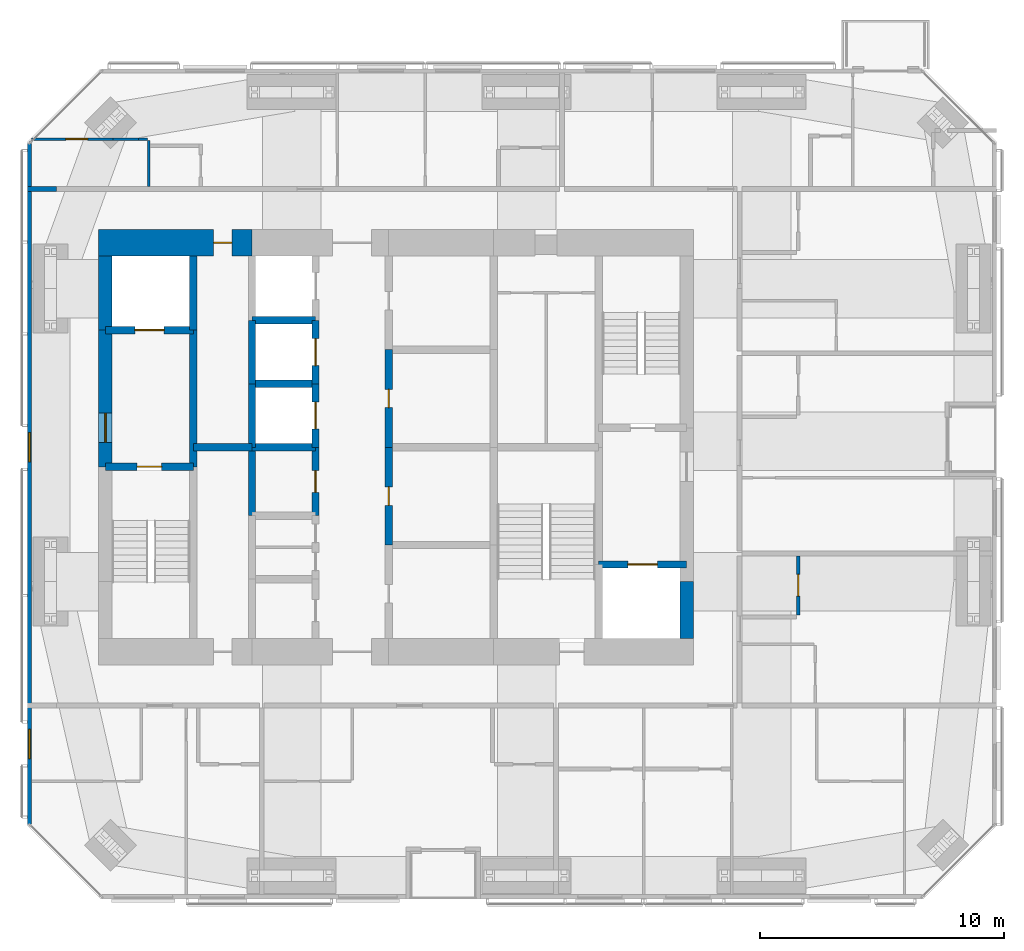
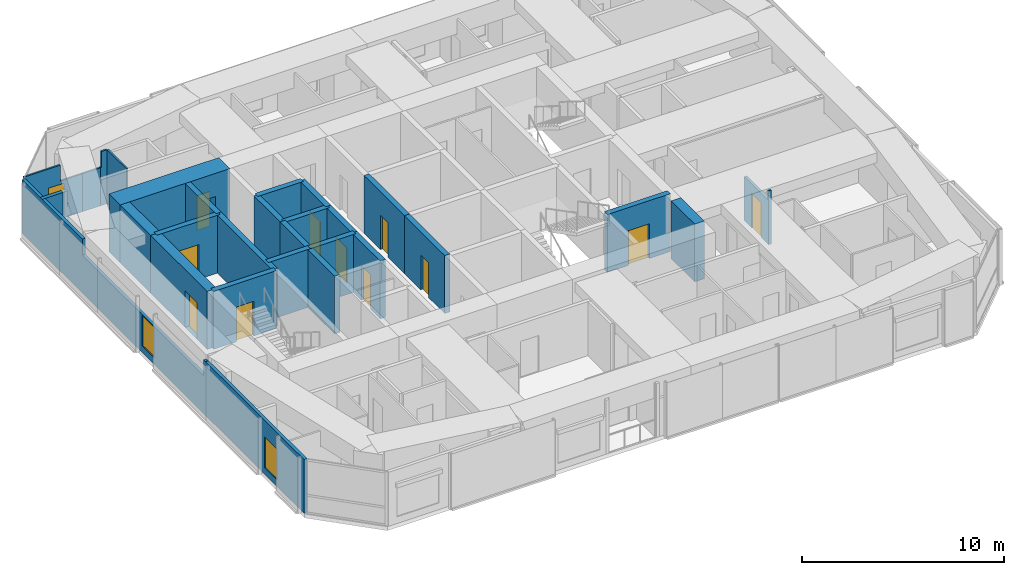
# One storey, part 15 of 19: 28 walls, 12 doors, 2 windows, 14 openings.
"""IFC4 building model written with IfcOpenShell, lengths in metres."""

from ifc_helpers import new_model, si_unit, direction, frame, frame_2d, origin, place, context, subcontext, project, spatial, polyline, rectangle, outline, extrude, material, layer, layer_set, constituent, constituent_set, type_object, element, fill, save


model = new_model("IFC4")

# Units and contexts
model_context = context("Model", 3, precision=1e-05, world=origin(), true_north=direction((0.0, 1.0)))
body_context = subcontext(model_context, "Body", "Model", "MODEL_VIEW")
ifc_project = project(units=[si_unit("LENGTHUNIT", "METRE"), si_unit("AREAUNIT", "SQUARE_METRE"), si_unit("VOLUMEUNIT", "CUBIC_METRE"), si_unit("PLANEANGLEUNIT", "RADIAN"), si_unit("MASSUNIT", "GRAM", prefix="KILO")], contexts=[model_context])

# Site, building, storey
site_placement = place(None, origin())
site = spatial("IfcSite", under=ifc_project, at=site_placement, CompositionType="ELEMENT")
building_placement = place(site_placement, origin())
building = spatial("IfcBuilding", under=site, at=building_placement, Name="Jalousie Tower", CompositionType="ELEMENT")
storey_placement = place(building_placement, frame((0.0, 0.0, 224.949951171875)))
storey = spatial("IfcBuildingStorey", under=building, at=storey_placement, Name="L61", CompositionType="ELEMENT", Elevation=224.949951171875)

# Wall, opening, door
ifc_material_1 = material(Name="Concrete block ASTM C90", Category="concrete")
ifc_constituent_1 = constituent(ifc_material_1, Name="Body")
ifc_material_2 = material(Name="Render")
ifc_constituent_2 = constituent(ifc_material_2, Name="Finish")
ifc_constituent_set_1 = constituent_set(constituents=[ifc_constituent_1, ifc_constituent_2])
wall_type_1 = type_object("IfcWallType", Name="BATHROOM WALL 150", PredefinedType="PLUMBINGWALL", material=ifc_constituent_set_1)
wall_1_placement = place(storey_placement, frame((48.375, 11.625, 0.0), z_axis=(0.0, 0.0, 1.0), x_axis=(0.0, 1.0, 0.0)))
wall_1 = element("IfcWall", 1, at=wall_1_placement, inside=storey, type_object=wall_type_1, Name="Bathroom Wall 150 L61", PredefinedType="PLUMBINGWALL", context=body_context, shape_type="SweptSolid", body=[
    extrude(outline(polyline([(0.0, 0.0), (2.425048828125, 0.0), (2.425048828125, 3.260009765625), (2.425048828125, 2.66015625), (0.090087890625, 2.66015625), (0.090087890625, 3.260009765625), (0.0, 3.260009765625), (0.0, 0.0)])), frame((0.0, 0.074951171875, 0.0), z_axis=(0.0, -1.0, 0.0), x_axis=(1.0, 0.0, 0.0)), (0.0, 0.0, 1.0), 0.14990234375),
])
opening_1_placement = place(wall_1_placement, frame((0.77490234375, 0.0, 0.0)))
opening_1 = element("IfcOpeningElement", 2, at=opening_1_placement, cuts=wall_1, Name="Opening D3", PredefinedType="OPENING", context=body_context, shape_type="SweptSolid", body=[
    extrude(rectangle(XDim=0.89990234375, YDim=2.10009765625, at=frame_2d((0.449951171875, 1.050048828125))), frame((0.0, 0.0849609375, 0.0), z_axis=(0.0, -1.0, 0.0), x_axis=(1.0, 0.0, 0.0)), (0.0, 0.0, 1.0), 0.169921875),
])
ifc_material_3 = material(Name="Timber door", Category="wood")
door_type_1 = type_object("IfcDoorType", Name="BATHROOM DOOR 900", OperationType="SINGLE_SWING_LEFT", PredefinedType="DOOR", material=ifc_material_3)
door_1_placement = place(opening_1_placement, origin())
door_1 = element("IfcDoor", 3, at=door_1_placement, inside=storey, type_object=door_type_1, Name="Apartment 6106 bathroom door", OperationType="SINGLE_SWING_RIGHT", OverallHeight=2.10009765625, OverallWidth=0.89990234375, PredefinedType="DOOR", context=body_context, shape_type="SweptSolid", body=[
    extrude(rectangle(XDim=0.89990234375, YDim=2.10009765625, at=frame_2d((0.449951171875, 1.050048828125))), frame((0.0, 0.02490234375, 0.0), z_axis=(0.0, -1.0, 0.0), x_axis=(1.0, 0.0, 0.0)), (0.0, 0.0, 1.0), 0.050048828125),
])
fill(opening_1, door_1)

ifc_material_4 = material(Name="Concrete f'c 120 MPa", Category="concrete")
ifc_layer_1 = layer(ifc_material_4, 1.10009765625)
ifc_layer_set_1 = layer_set([ifc_layer_1], Name="Concrete f'c 120 MPa")
wall_type_2 = type_object("IfcWallType", Name="CORE WALL 1100", PredefinedType="SHEAR", material=ifc_layer_set_1)
wall_2_placement = place(storey_placement, frame((26.0, 26.875, 0.0), z_axis=(0.0, 0.0, 1.0), x_axis=(-1.0, 0.0, 0.0)))
wall_2 = element("IfcWall", 4, at=wall_2_placement, inside=storey, type_object=wall_type_2, Name="Core wall ND L61", PredefinedType="SHEAR", context=body_context, shape_type="SweptSolid", body=[
    extrude(rectangle(XDim=6.27490234375, YDim=1.10009765625, at=frame_2d((3.137451171875, 0.0))), origin(), (0.0, 0.0, 1.0), 3.5),
])
opening_2_placement = place(wall_2_placement, frame((0.824951171875, 0.0, 0.0)))
opening_2 = element("IfcOpeningElement", 5, at=opening_2_placement, cuts=wall_2, Name="Opening D16", PredefinedType="OPENING", context=body_context, shape_type="SweptSolid", body=[
    extrude(rectangle(XDim=0.75, YDim=2.10009765625, at=frame_2d((0.375, 1.050048828125))), frame((0.0, 0.56005859375, 0.0), z_axis=(0.0, -1.0, 0.0), x_axis=(1.0, 0.0, 0.0)), (0.0, 0.0, 1.0), 1.1201171875),
])
ifc_material_5 = material(Name="Steel fire door", Category="steel")
door_type_2 = type_object("IfcDoorType", Name="RISER DOOR 750", OperationType="SINGLE_SWING_LEFT", PredefinedType="DOOR", material=ifc_material_5)
door_2_placement = place(opening_2_placement, origin())
door_2 = element("IfcDoor", 6, at=door_2_placement, inside=storey, type_object=door_type_2, Name="North riser door", OperationType="SINGLE_SWING_RIGHT", OverallHeight=2.10009765625, OverallWidth=0.75, PredefinedType="DOOR", context=body_context, shape_type="SweptSolid", body=[
    extrude(rectangle(XDim=0.75, YDim=2.10009765625, at=frame_2d((0.375, 1.050048828125))), frame((0.0, 0.02490234375, 0.0), z_axis=(0.0, -1.0, 0.0), x_axis=(1.0, 0.0, 0.0)), (0.0, 0.0, 1.0), 0.050048828125),
])
fill(opening_2, door_2)

# Walls
ifc_material_6 = material(Name="Concrete f'c 120 MPa", Category="concrete")
ifc_layer_2 = layer(ifc_material_6, 0.300048828125)
ifc_layer_set_2 = layer_set([ifc_layer_2], Name="Concrete f'c 120 MPa")
wall_type_3 = type_object("IfcWallType", Name="CORE WALL 300", PredefinedType="SHEAR", material=ifc_layer_set_2)
wall_3_placement = place(storey_placement, frame((23.60009765625, 17.699951171875, 0.0), z_axis=(0.0, 0.0, 1.0), x_axis=(0.0, 1.0, 0.0)))
element("IfcWall", 7, at=wall_3_placement, inside=storey, type_object=wall_type_3, Name="Core wall X23.6B L61", PredefinedType="SHEAR", context=body_context, shape_type="SweptSolid", body=[
    extrude(rectangle(XDim=5.60009765625, YDim=0.300048828125, at=frame_2d((2.800048828125, 0.0))), origin(), (0.0, 0.0, 1.0), 3.5),
])
wall_4_placement = place(storey_placement, frame((23.60009765625, 23.300048828125, 0.0), z_axis=(0.0, 0.0, 1.0), x_axis=(0.0, 1.0, 0.0)))
element("IfcWall", 8, at=wall_4_placement, inside=storey, type_object=wall_type_3, Name="Core wall X23.6C L61", PredefinedType="SHEAR", context=body_context, shape_type="SweptSolid", body=[
    extrude(rectangle(XDim=3.02490234375, YDim=0.300048828125, at=frame_2d((1.512451171875, 0.0))), origin(), (0.0, 0.0, 1.0), 3.5),
])
wall_5_placement = place(storey_placement, frame((26.0, 15.699951171875, 0.0), z_axis=(0.0, 0.0, 1.0), x_axis=(0.0, 1.0, 0.0)))
element("IfcWall", 9, at=wall_5_placement, inside=storey, type_object=wall_type_3, Name="Core wall X26C L61", PredefinedType="SHEAR", context=body_context, shape_type="SweptSolid", body=[
    extrude(rectangle(XDim=2.800048828125, YDim=0.300048828125, at=frame_2d((1.39990234375, 0.0))), origin(), (0.0, 0.0, 1.0), 3.5),
])
wall_6_placement = place(storey_placement, frame((26.0, 18.5, 0.0), z_axis=(0.0, 0.0, 1.0), x_axis=(0.0, 1.0, 0.0)))
element("IfcWall", 10, at=wall_6_placement, inside=storey, type_object=wall_type_3, Name="Core wall X26D L61", PredefinedType="SHEAR", context=body_context, shape_type="SweptSolid", body=[
    extrude(rectangle(XDim=2.60009765625, YDim=0.300048828125, at=frame_2d((1.300048828125, 0.0))), origin(), (0.0, 0.0, 1.0), 3.5),
])
wall_7_placement = place(storey_placement, frame((26.0, 21.10009765625, 0.0), z_axis=(0.0, 0.0, 1.0), x_axis=(0.0, 1.0, 0.0)))
element("IfcWall", 11, at=wall_7_placement, inside=storey, type_object=wall_type_3, Name="Core wall X26E L61", PredefinedType="SHEAR", context=body_context, shape_type="SweptSolid", body=[
    extrude(rectangle(XDim=2.599853515625, YDim=0.300048828125, at=frame_2d((1.2998046875, 0.0))), origin(), (0.0, 0.0, 1.0), 3.5),
])

# Wall, opening, door
wall_8_placement = place(storey_placement, frame((28.60009765625, 15.699951171875, 0.0), z_axis=(0.0, 0.0, 1.0), x_axis=(0.0, 1.0, 0.0)))
wall_8 = element("IfcWall", 12, at=wall_8_placement, inside=storey, type_object=wall_type_3, Name="Core wall X28.6C L61", PredefinedType="SHEAR", context=body_context, shape_type="SweptSolid", body=[
    extrude(rectangle(XDim=2.800048828125, YDim=0.300048828125, at=frame_2d((1.39990234375, 0.0))), origin(), (0.0, 0.0, 1.0), 3.5),
])
opening_3_placement = place(wall_8_placement, frame((0.949951171875, 0.0, 0.0)))
opening_3 = element("IfcOpeningElement", 13, at=opening_3_placement, cuts=wall_8, Name="Opening D24", PredefinedType="OPENING", context=body_context, shape_type="SweptSolid", body=[
    extrude(rectangle(XDim=0.89990234375, YDim=2.10009765625, at=frame_2d((0.449951171875, 1.050048828125))), frame((0.0, 0.159912109375, 0.0), z_axis=(0.0, -1.0, 0.0), x_axis=(1.0, 0.0, 0.0)), (0.0, 0.0, 1.0), 0.320068359375),
])
ifc_material_7 = material(Name="Steel fire door", Category="steel")
door_type_3 = type_object("IfcDoorType", Name="CORE ROOM DOOR 900", OperationType="SINGLE_SWING_LEFT", PredefinedType="DOOR", material=ifc_material_7)
door_3_placement = place(opening_3_placement, origin())
door_3 = element("IfcDoor", 14, at=door_3_placement, inside=storey, type_object=door_type_3, Name="Pantry door", OperationType="SINGLE_SWING_LEFT", OverallHeight=2.10009765625, OverallWidth=0.89990234375, PredefinedType="DOOR", context=body_context, shape_type="SweptSolid", body=[
    extrude(rectangle(XDim=0.89990234375, YDim=2.10009765625, at=frame_2d((0.449951171875, 1.050048828125))), frame((0.0, 0.02490234375, 0.0), z_axis=(0.0, -1.0, 0.0), x_axis=(1.0, 0.0, 0.0)), (0.0, 0.0, 1.0), 0.050048828125),
])
fill(opening_3, door_3)

wall_9_placement = place(storey_placement, frame((28.60009765625, 18.5, 0.0), z_axis=(0.0, 0.0, 1.0), x_axis=(0.0, 1.0, 0.0)))
wall_9 = element("IfcWall", 15, at=wall_9_placement, inside=storey, type_object=wall_type_3, Name="Core wall X28.6D L61", PredefinedType="SHEAR", context=body_context, shape_type="SweptSolid", body=[
    extrude(rectangle(XDim=2.60009765625, YDim=0.300048828125, at=frame_2d((1.300048828125, 0.0))), origin(), (0.0, 0.0, 1.0), 3.5),
])
opening_4_placement = place(wall_9_placement, frame((0.75, 0.0, 0.0)))
opening_4 = element("IfcOpeningElement", 16, at=opening_4_placement, cuts=wall_9, Name="Opening LD1", PredefinedType="OPENING", context=body_context, shape_type="SweptSolid", body=[
    extrude(rectangle(XDim=1.10009765625, YDim=2.10009765625, at=frame_2d((0.550048828125, 1.050048828125))), frame((0.0, 0.159912109375, 0.0), z_axis=(0.0, -1.0, 0.0), x_axis=(1.0, 0.0, 0.0)), (0.0, 0.0, 1.0), 0.320068359375),
])
ifc_material_8 = material(Name="Steel lift landing door", Category="steel")
door_type_4 = type_object("IfcDoorType", Name="LIFT LANDING DOOR 1100", OperationType="SLIDING_TO_LEFT", PredefinedType="DOOR", material=ifc_material_8)
door_4_placement = place(opening_4_placement, origin())
door_4 = element("IfcDoor", 17, at=door_4_placement, inside=storey, type_object=door_type_4, Name="Lift P4 landing door", OperationType="SLIDING_TO_LEFT", OverallHeight=2.10009765625, OverallWidth=1.10009765625, PredefinedType="DOOR", context=body_context, shape_type="SweptSolid", body=[
    extrude(rectangle(XDim=1.10009765625, YDim=2.10009765625, at=frame_2d((0.550048828125, 1.050048828125))), frame((0.0, 0.02490234375, 0.0), z_axis=(0.0, -1.0, 0.0), x_axis=(1.0, 0.0, 0.0)), (0.0, 0.0, 1.0), 0.050048828125),
])
fill(opening_4, door_4)

wall_10_placement = place(storey_placement, frame((28.60009765625, 21.10009765625, 0.0), z_axis=(0.0, 0.0, 1.0), x_axis=(0.0, 1.0, 0.0)))
wall_10 = element("IfcWall", 18, at=wall_10_placement, inside=storey, type_object=wall_type_3, Name="Core wall X28.6E L61", PredefinedType="SHEAR", context=body_context, shape_type="SweptSolid", body=[
    extrude(rectangle(XDim=2.599853515625, YDim=0.300048828125, at=frame_2d((1.2998046875, 0.0))), origin(), (0.0, 0.0, 1.0), 3.5),
])
opening_5_placement = place(wall_10_placement, frame((0.75, 0.0, 0.0)))
opening_5 = element("IfcOpeningElement", 19, at=opening_5_placement, cuts=wall_10, Name="Opening LD1", PredefinedType="OPENING", context=body_context, shape_type="SweptSolid", body=[
    extrude(rectangle(XDim=1.10009765625, YDim=2.10009765625, at=frame_2d((0.550048828125, 1.050048828125))), frame((0.0, 0.159912109375, 0.0), z_axis=(0.0, -1.0, 0.0), x_axis=(1.0, 0.0, 0.0)), (0.0, 0.0, 1.0), 0.320068359375),
])
door_5_placement = place(opening_5_placement, origin())
door_5 = element("IfcDoor", 20, at=door_5_placement, inside=storey, type_object=door_type_4, Name="Lift P5 landing door", OperationType="SLIDING_TO_LEFT", OverallHeight=2.10009765625, OverallWidth=1.10009765625, PredefinedType="DOOR", context=body_context, shape_type="SweptSolid", body=[
    extrude(rectangle(XDim=1.10009765625, YDim=2.10009765625, at=frame_2d((0.550048828125, 1.050048828125))), frame((0.0, 0.02490234375, 0.0), z_axis=(0.0, -1.0, 0.0), x_axis=(1.0, 0.0, 0.0)), (0.0, 0.0, 1.0), 0.050048828125),
])
fill(opening_5, door_5)

wall_11_placement = place(storey_placement, frame((31.60009765625, 14.5, 0.0), z_axis=(0.0, 0.0, 1.0), x_axis=(0.0, 1.0, 0.0)))
wall_11 = element("IfcWall", 21, at=wall_11_placement, inside=storey, type_object=wall_type_3, Name="Core wall X31.6B L61", PredefinedType="SHEAR", context=body_context, shape_type="SweptSolid", body=[
    extrude(rectangle(XDim=4.0, YDim=0.300048828125, at=frame_2d((2.0, 0.0))), origin(), (0.0, 0.0, 1.0), 3.5),
])
opening_6_placement = place(wall_11_placement, frame((1.625, 0.0, 0.0)))
opening_6 = element("IfcOpeningElement", 22, at=opening_6_placement, cuts=wall_11, Name="Opening D16", PredefinedType="OPENING", context=body_context, shape_type="SweptSolid", body=[
    extrude(rectangle(XDim=0.75, YDim=2.10009765625, at=frame_2d((0.375, 1.050048828125))), frame((0.0, 0.159912109375, 0.0), z_axis=(0.0, -1.0, 0.0), x_axis=(1.0, 0.0, 0.0)), (0.0, 0.0, 1.0), 0.320068359375),
])
door_6_placement = place(opening_6_placement, frame((0.75, 0.0, 0.0), z_axis=(0.0, 0.0, 1.0), x_axis=(-1.0, 0.0, 0.0)))
door_6 = element("IfcDoor", 23, at=door_6_placement, inside=storey, type_object=door_type_2, Name="Electrical Room door", OperationType="SINGLE_SWING_RIGHT", OverallHeight=2.10009765625, OverallWidth=0.75, PredefinedType="DOOR", context=body_context, shape_type="SweptSolid", body=[
    extrude(rectangle(XDim=0.75, YDim=2.10009765625, at=frame_2d((0.375, 1.050048828125))), frame((0.0, 0.02490234375, 0.0), z_axis=(0.0, -1.0, 0.0), x_axis=(1.0, 0.0, 0.0)), (0.0, 0.0, 1.0), 0.050048828125),
])
fill(opening_6, door_6)

wall_12_placement = place(storey_placement, frame((31.60009765625, 18.5, 0.0), z_axis=(0.0, 0.0, 1.0), x_axis=(0.0, 1.0, 0.0)))
wall_12 = element("IfcWall", 24, at=wall_12_placement, inside=storey, type_object=wall_type_3, Name="Core wall X31.6C L61", PredefinedType="SHEAR", context=body_context, shape_type="SweptSolid", body=[
    extrude(rectangle(XDim=4.0, YDim=0.300048828125, at=frame_2d((2.0, 0.0))), origin(), (0.0, 0.0, 1.0), 3.5),
])
opening_7_placement = place(wall_12_placement, frame((1.625, 0.0, 0.0)))
opening_7 = element("IfcOpeningElement", 25, at=opening_7_placement, cuts=wall_12, Name="Opening D16", PredefinedType="OPENING", context=body_context, shape_type="SweptSolid", body=[
    extrude(rectangle(XDim=0.75, YDim=2.10009765625, at=frame_2d((0.375, 1.050048828125))), frame((0.0, 0.159912109375, 0.0), z_axis=(0.0, -1.0, 0.0), x_axis=(1.0, 0.0, 0.0)), (0.0, 0.0, 1.0), 0.320068359375),
])
door_7_placement = place(opening_7_placement, frame((0.75, 0.0, 0.0), z_axis=(0.0, 0.0, 1.0), x_axis=(-1.0, 0.0, 0.0)))
door_7 = element("IfcDoor", 26, at=door_7_placement, inside=storey, type_object=door_type_2, Name="Telecom Room door", OperationType="SINGLE_SWING_RIGHT", OverallHeight=2.10009765625, OverallWidth=0.75, PredefinedType="DOOR", context=body_context, shape_type="SweptSolid", body=[
    extrude(rectangle(XDim=0.75, YDim=2.10009765625, at=frame_2d((0.375, 1.050048828125))), frame((0.0, 0.02490234375, 0.0), z_axis=(0.0, -1.0, 0.0), x_axis=(1.0, 0.0, 0.0)), (0.0, 0.0, 1.0), 0.050048828125),
])
fill(opening_7, door_7)

wall_13_placement = place(storey_placement, frame((20.0, 17.699951171875, 0.0), z_axis=(0.0, 0.0, 1.0), x_axis=(1.0, 0.0, 0.0)))
wall_13 = element("IfcWall", 27, at=wall_13_placement, inside=storey, type_object=wall_type_3, Name="Core wall Y20-17.7 L61", PredefinedType="SHEAR", context=body_context, shape_type="SweptSolid", body=[
    extrude(rectangle(XDim=3.60009765625, YDim=0.300048828125, at=frame_2d((1.800048828125, 0.0))), origin(), (0.0, 0.0, 1.0), 3.5),
])
opening_8_placement = place(wall_13_placement, frame((1.300048828125, 0.0, 0.0)))
opening_8 = element("IfcOpeningElement", 28, at=opening_8_placement, cuts=wall_13, Name="Opening D10", PredefinedType="OPENING", context=body_context, shape_type="SweptSolid", body=[
    extrude(rectangle(XDim=1.0, YDim=2.10009765625, at=frame_2d((0.5, 1.050048828125))), frame((0.0, 0.159912109375, 0.0), z_axis=(0.0, -1.0, 0.0), x_axis=(1.0, 0.0, 0.0)), (0.0, 0.0, 1.0), 0.320068359375),
])
ifc_material_9 = material(Name="Steel fire door", Category="steel")
door_type_5 = type_object("IfcDoorType", Name="STAIR DOOR 1000", OperationType="SINGLE_SWING_LEFT", PredefinedType="DOOR", material=ifc_material_9)
door_8_placement = place(opening_8_placement, frame((1.0, 0.0, 0.0), z_axis=(0.0, 0.0, 1.0), x_axis=(-1.0, 0.0, 0.0)))
door_8 = element("IfcDoor", 29, at=door_8_placement, inside=storey, type_object=door_type_5, Name="Exit stair A door", OperationType="SINGLE_SWING_RIGHT", OverallHeight=2.10009765625, OverallWidth=1.0, PredefinedType="DOOR", context=body_context, shape_type="SweptSolid", body=[
    extrude(rectangle(XDim=1.0, YDim=2.10009765625, at=frame_2d((0.5, 1.050048828125))), frame((0.0, 0.02490234375, 0.0), z_axis=(0.0, -1.0, 0.0), x_axis=(1.0, 0.0, 0.0)), (0.0, 0.0, 1.0), 0.050048828125),
])
fill(opening_8, door_8)

wall_14_placement = place(storey_placement, frame((20.0, 23.300048828125, 0.0), z_axis=(0.0, 0.0, 1.0), x_axis=(1.0, 0.0, 0.0)))
wall_14 = element("IfcWall", 30, at=wall_14_placement, inside=storey, type_object=wall_type_3, Name="Core wall Y20-23.3 L61", PredefinedType="SHEAR", context=body_context, shape_type="SweptSolid", body=[
    extrude(rectangle(XDim=3.60009765625, YDim=0.300048828125, at=frame_2d((1.800048828125, 0.0))), origin(), (0.0, 0.0, 1.0), 3.5),
])
opening_9_placement = place(wall_14_placement, frame((1.199951171875, 0.0, 0.0)))
opening_9 = element("IfcOpeningElement", 31, at=opening_9_placement, cuts=wall_14, Name="Opening LD2", PredefinedType="OPENING", context=body_context, shape_type="SweptSolid", body=[
    extrude(rectangle(XDim=1.199951171875, YDim=2.10009765625, at=frame_2d((0.60009765625, 1.050048828125))), frame((0.0, 0.159912109375, 0.0), z_axis=(0.0, -1.0, 0.0), x_axis=(1.0, 0.0, 0.0)), (0.0, 0.0, 1.0), 0.320068359375),
])
ifc_material_10 = material(Name="Steel lift landing door", Category="steel")
door_type_6 = type_object("IfcDoorType", Name="LIFT LANDING DOOR 1200", OperationType="SLIDING_TO_LEFT", PredefinedType="DOOR", material=ifc_material_10)
door_9_placement = place(opening_9_placement, origin())
door_9 = element("IfcDoor", 32, at=door_9_placement, inside=storey, type_object=door_type_6, Name="Lift F1 landing door", OperationType="SLIDING_TO_LEFT", OverallHeight=2.10009765625, OverallWidth=1.199951171875, PredefinedType="DOOR", context=body_context, shape_type="SweptSolid", body=[
    extrude(rectangle(XDim=1.199951171875, YDim=2.10009765625, at=frame_2d((0.60009765625, 1.050048828125))), frame((0.0, 0.02490234375, 0.0), z_axis=(0.0, -1.0, 0.0), x_axis=(1.0, 0.0, 0.0)), (0.0, 0.0, 1.0), 0.050048828125),
])
fill(opening_9, door_9)

# Walls
wall_15_placement = place(storey_placement, frame((23.60009765625, 18.5, 0.0), z_axis=(0.0, 0.0, 1.0), x_axis=(1.0, 0.0, 0.0)))
element("IfcWall", 33, at=wall_15_placement, inside=storey, type_object=wall_type_3, Name="Core wall Y23.6-18.5 L61", PredefinedType="SHEAR", context=body_context, shape_type="SweptSolid", body=[
    extrude(rectangle(XDim=2.39990234375, YDim=0.300048828125, at=frame_2d((1.199951171875, 0.0))), origin(), (0.0, 0.0, 1.0), 3.5),
])
for number, where, z_axis, x_axis, name in (
    (34, (26.0, 18.5, 0.0), (0.0, 0.0, 1.0), (1.0, 0.0, 0.0), "Core wall Y26-18.5 L61"),
    (35, (26.0, 21.10009765625, 0.0), (0.0, 0.0, 1.0), (1.0, 0.0, 0.0), "Core wall Y26-21.1 L61"),
    (36, (26.0, 23.699951171875, 0.0), (0.0, 0.0, 1.0), (1.0, 0.0, 0.0), "Core wall Y26-23.7 L61"),
):
    element("IfcWall", number, at=place(storey_placement, frame(where, z_axis=z_axis, x_axis=x_axis)), inside=storey, type_object=wall_type_3, Name=name, PredefinedType="SHEAR", context=body_context, shape_type="SweptSolid", body=[
        extrude(rectangle(XDim=2.60009765625, YDim=0.300048828125, at=frame_2d((1.300048828125, 0.0))), origin(), (0.0, 0.0, 1.0), 3.5),
    ])

# Wall, opening, door
wall_16_placement = place(storey_placement, frame((40.199951171875, 13.699951171875, 0.0), z_axis=(0.0, 0.0, 1.0), x_axis=(1.0, 0.0, 0.0)))
wall_16 = element("IfcWall", 37, at=wall_16_placement, inside=storey, type_object=wall_type_3, Name="Core wall Y40.2-13.7 L61", PredefinedType="SHEAR", context=body_context, shape_type="SweptSolid", body=[
    extrude(rectangle(XDim=3.60009765625, YDim=0.300048828125, at=frame_2d((1.800048828125, 0.0))), origin(), (0.0, 0.0, 1.0), 3.5),
])
opening_10_placement = place(wall_16_placement, frame((1.199951171875, 0.0, 0.0)))
opening_10 = element("IfcOpeningElement", 38, at=opening_10_placement, cuts=wall_16, Name="Opening LD2", PredefinedType="OPENING", context=body_context, shape_type="SweptSolid", body=[
    extrude(rectangle(XDim=1.199951171875, YDim=2.10009765625, at=frame_2d((0.60009765625, 1.050048828125))), frame((0.0, 0.159912109375, 0.0), z_axis=(0.0, -1.0, 0.0), x_axis=(1.0, 0.0, 0.0)), (0.0, 0.0, 1.0), 0.320068359375),
])
door_10_placement = place(opening_10_placement, origin())
door_10 = element("IfcDoor", 39, at=door_10_placement, inside=storey, type_object=door_type_6, Name="Lift F2 landing door", OperationType="SLIDING_TO_LEFT", OverallHeight=2.10009765625, OverallWidth=1.199951171875, PredefinedType="DOOR", context=body_context, shape_type="SweptSolid", body=[
    extrude(rectangle(XDim=1.199951171875, YDim=2.10009765625, at=frame_2d((0.60009765625, 1.050048828125))), frame((0.0, 0.02490234375, 0.0), z_axis=(0.0, -1.0, 0.0), x_axis=(1.0, 0.0, 0.0)), (0.0, 0.0, 1.0), 0.050048828125),
])
fill(opening_10, door_10)

# Wall
ifc_material_11 = material(Name="Concrete f'c 120 MPa", Category="concrete")
ifc_layer_3 = layer(ifc_material_11, 0.550048828125)
ifc_layer_set_3 = layer_set([ifc_layer_3], Name="Concrete f'c 120 MPa")
wall_type_4 = type_object("IfcWallType", Name="CORE WALL 550", PredefinedType="SHEAR", material=ifc_layer_set_3)
wall_17_placement = place(storey_placement, frame((20.0, 26.324951171875, 0.0), z_axis=(0.0, 0.0, 1.0), x_axis=(0.0, -1.0, 0.0)))
element("IfcWall", 40, at=wall_17_placement, inside=storey, type_object=wall_type_4, Name="Core wall WA L61", PredefinedType="SHEAR", context=body_context, shape_type="SweptSolid", body=[
    extrude(rectangle(XDim=3.02490234375, YDim=0.550048828125, at=frame_2d((1.512451171875, 0.0))), origin(), (0.0, 0.0, 1.0), 3.5),
])

# Wall, opening, door
wall_18_placement = place(storey_placement, frame((20.0, 23.300048828125, 0.0), z_axis=(0.0, 0.0, 1.0), x_axis=(0.0, -1.0, 0.0)))
wall_18 = element("IfcWall", 41, at=wall_18_placement, inside=storey, type_object=wall_type_4, Name="Core wall WB L61", PredefinedType="SHEAR", context=body_context, shape_type="SweptSolid", body=[
    extrude(rectangle(XDim=5.60009765625, YDim=0.550048828125, at=frame_2d((2.800048828125, 0.0))), origin(), (0.0, 0.0, 1.0), 3.5),
])
opening_11_placement = place(wall_18_placement, frame((3.39990234375, 0.0, 0.0)))
opening_11 = element("IfcOpeningElement", 42, at=opening_11_placement, cuts=wall_18, Name="Opening D11", PredefinedType="OPENING", context=body_context, shape_type="SweptSolid", body=[
    extrude(rectangle(XDim=1.199951171875, YDim=2.199951171875, at=frame_2d((0.60009765625, 1.10009765625))), frame((0.0, 0.284912109375, 0.0), z_axis=(0.0, -1.0, 0.0), x_axis=(1.0, 0.0, 0.0)), (0.0, 0.0, 1.0), 0.570068359375),
])
ifc_material_12 = material(Name="Steel fire door", Category="steel")
door_type_7 = type_object("IfcDoorType", Name="FIRE DOOR 1200", OperationType="SINGLE_SWING_LEFT", PredefinedType="DOOR", material=ifc_material_12)
door_11_placement = place(opening_11_placement, origin())
door_11 = element("IfcDoor", 43, at=door_11_placement, inside=storey, type_object=door_type_7, Name="Fire-fighting lobby A door", OperationType="SINGLE_SWING_RIGHT", OverallHeight=2.199951171875, OverallWidth=1.199951171875, PredefinedType="DOOR", context=body_context, shape_type="SweptSolid", body=[
    extrude(rectangle(XDim=1.199951171875, YDim=2.199951171875, at=frame_2d((0.60009765625, 1.10009765625))), frame((0.0, 0.02490234375, 0.0), z_axis=(0.0, -1.0, 0.0), x_axis=(1.0, 0.0, 0.0)), (0.0, 0.0, 1.0), 0.050048828125),
])
fill(opening_11, door_11)

# Wall
wall_19_placement = place(storey_placement, frame((43.800048828125, 10.675048828125, 0.0), z_axis=(0.0, 0.0, 1.0), x_axis=(0.0, 1.0, 0.0)))
element("IfcWall", 44, at=wall_19_placement, inside=storey, type_object=wall_type_4, Name="Core wall EA L61", PredefinedType="SHEAR", context=body_context, shape_type="SweptSolid", body=[
    extrude(rectangle(XDim=2.324951171875, YDim=0.550048828125, at=frame_2d((1.16259765625, 0.0))), origin(), (0.0, 0.0, 1.0), 3.5),
])

# Wall, openings, windows
ifc_material_13 = material(Name="Concrete f'c 40 MPa", Category="concrete")
ifc_constituent_3 = constituent(ifc_material_13, Name="Body")
ifc_material_14 = material(Name="Render, pastel sky blue")
ifc_constituent_4 = constituent(ifc_material_14, Name="Finish")
ifc_constituent_set_2 = constituent_set(constituents=[ifc_constituent_3, ifc_constituent_4])
wall_type_5 = type_object("IfcWallType", Name="EXTERNAL WALL 175 SKY BLUE RENDER", PredefinedType="SOLIDWALL", material=ifc_constituent_set_2)
wall_20_placement = place(storey_placement, frame((16.887451171875, 30.94873046875, 0.0), z_axis=(0.0, 0.0, 1.0), x_axis=(0.0, -1.0, 0.0)))
wall_20 = element("IfcWall", 45, at=wall_20_placement, inside=storey, type_object=wall_type_5, Name="External Wall 175 Sky Blue Render L61", PredefinedType="SOLIDWALL", context=body_context, shape_type="SweptSolid", body=[
    extrude(outline(polyline([(0.0, 0.0), (27.8974609375, 0.0), (27.8974609375, 3.260009765625), (18.1484375, 3.260009765625), (18.1484375, 2.300048828125), (18.125, 2.300048828125), (18.125, 3.260009765625), (17.94873046875, 3.260009765625), (17.94873046875, 2.300048828125), (5.94873046875, 2.300048828125), (5.94873046875, 3.260009765625), (0.0, 3.260009765625), (0.0, 0.0)])), frame((0.0, 0.08740234375, 0.0), z_axis=(0.0, -1.0, 0.0), x_axis=(1.0, 0.0, 0.0)), (0.0, 0.0, 1.0), 0.175048828125),
])
opening_12_placement = place(wall_20_placement, frame((11.8486328125, 0.0, 0.39990234375)))
opening_12 = element("IfcOpeningElement", 46, at=opening_12_placement, cuts=wall_20, Name="Opening W-COR185", PredefinedType="OPENING", context=body_context, shape_type="SweptSolid", body=[
    extrude(rectangle(XDim=1.199951171875, YDim=1.85009765625, at=frame_2d((0.60009765625, 0.925048828125))), frame((0.0, 0.097412109375, 0.0), z_axis=(0.0, -1.0, 0.0), x_axis=(1.0, 0.0, 0.0)), (0.0, 0.0, 1.0), 0.195068359375),
])
opening_13_placement = place(wall_20_placement, frame((23.998779296875, 0.0, 0.39990234375)))
opening_13 = element("IfcOpeningElement", 47, at=opening_13_placement, cuts=wall_20, Name="Opening W-COR185", PredefinedType="OPENING", context=body_context, shape_type="SweptSolid", body=[
    extrude(rectangle(XDim=1.199951171875, YDim=1.85009765625, at=frame_2d((0.60009765625, 0.925048828125))), frame((0.0, 0.097412109375, 0.0), z_axis=(0.0, -1.0, 0.0), x_axis=(1.0, 0.0, 0.0)), (0.0, 0.0, 1.0), 0.195068359375),
])
ifc_material_15 = material(Name="Aluminium frame, impact-rated glazing", Category="aluminium")
window_type = type_object("IfcWindowType", Name="WINDOW COR 1200x1850", PartitioningType="SINGLE_PANEL", PredefinedType="WINDOW", material=ifc_material_15)
window_1_placement = place(opening_12_placement, origin())
window_1 = element("IfcWindow", 48, at=window_1_placement, inside=storey, type_object=window_type, Name="Corridor window", OverallHeight=1.85009765625, OverallWidth=1.199951171875, PartitioningType="SINGLE_PANEL", PredefinedType="WINDOW", context=body_context, shape_type="SweptSolid", body=[
    extrude(rectangle(XDim=1.199951171875, YDim=1.85009765625, at=frame_2d((0.60009765625, 0.925048828125))), frame((0.0, 0.030029296875, 0.0), z_axis=(0.0, -1.0, 0.0), x_axis=(1.0, 0.0, 0.0)), (0.0, 0.0, 1.0), 0.06005859375),
])
fill(opening_12, window_1)
window_2_placement = place(opening_13_placement, origin())
window_2 = element("IfcWindow", 49, at=window_2_placement, inside=storey, type_object=window_type, Name="Apartment 6101 kitchen window", OverallHeight=1.85009765625, OverallWidth=1.199951171875, PartitioningType="SINGLE_PANEL", PredefinedType="WINDOW", context=body_context, shape_type="SweptSolid", body=[
    extrude(rectangle(XDim=1.199951171875, YDim=1.85009765625, at=frame_2d((0.60009765625, 0.925048828125))), frame((0.0, 0.030029296875, 0.0), z_axis=(0.0, -1.0, 0.0), x_axis=(1.0, 0.0, 0.0)), (0.0, 0.0, 1.0), 0.06005859375),
])
fill(opening_13, window_2)

# Wall, opening, door
ifc_material_16 = material(Name="Gypsum board", Category="gypsum")
ifc_constituent_5 = constituent(ifc_material_16, Name="Body")
ifc_material_17 = material(Name="Light-gauge steel studs ASTM A653 SS Grade 33", Category="steel")
ifc_constituent_6 = constituent(ifc_material_17, Name="Framing")
ifc_constituent_set_3 = constituent_set(constituents=[ifc_constituent_5, ifc_constituent_6])
wall_type_6 = type_object("IfcWallType", Name="PARTITION 100", PredefinedType="PARTITIONING", material=ifc_constituent_set_3)
wall_21_placement = place(storey_placement, frame((16.97509765625, 31.125, 0.0), z_axis=(0.0, 0.0, 1.0), x_axis=(1.0, 0.0, 0.0)))
wall_21 = element("IfcWall", 50, at=wall_21_placement, inside=storey, type_object=wall_type_6, Name="Partition 100 L61-A", PredefinedType="PARTITIONING", context=body_context, shape_type="SweptSolid", body=[
    extrude(outline(polyline([(0.0, 0.0), (3.336669921875, 0.0), (3.3369140625, 2.300048828125), (2.075927734375, 2.300048828125), (2.075927734375, 3.260009765625), (0.0, 3.260009765625), (0.0, 0.0)])), frame((0.0, 0.050048828125, 0.0), z_axis=(0.0, -1.0, 0.0), x_axis=(1.0, 0.0, 0.0)), (0.0, 0.0, 1.0), 0.10009765625),
])
opening_14_placement = place(wall_21_placement, frame((1.39990234375, 0.0, 0.0)))
opening_14 = element("IfcOpeningElement", 51, at=opening_14_placement, cuts=wall_21, Name="Opening D7", PredefinedType="OPENING", context=body_context, shape_type="SweptSolid", body=[
    extrude(rectangle(XDim=0.89990234375, YDim=2.10009765625, at=frame_2d((0.449951171875, 1.050048828125))), frame((0.0, 0.06005859375, 0.0), z_axis=(0.0, -1.0, 0.0), x_axis=(1.0, 0.0, 0.0)), (0.0, 0.0, 1.0), 0.1201171875),
])
ifc_material_18 = material(Name="Timber door", Category="wood")
door_type_8 = type_object("IfcDoorType", Name="INTERNAL DOOR 900", OperationType="SINGLE_SWING_LEFT", PredefinedType="DOOR", material=ifc_material_18)
door_12_placement = place(opening_14_placement, frame((0.89990234375, 0.0, 0.0), z_axis=(0.0, 0.0, 1.0), x_axis=(-1.0, 0.0, 0.0)))
door_12 = element("IfcDoor", 52, at=door_12_placement, inside=storey, type_object=door_type_8, Name="Apartment 6104 kitchen door", OperationType="SINGLE_SWING_RIGHT", OverallHeight=2.10009765625, OverallWidth=0.89990234375, PredefinedType="DOOR", context=body_context, shape_type="SweptSolid", body=[
    extrude(rectangle(XDim=0.89990234375, YDim=2.10009765625, at=frame_2d((0.449951171875, 1.050048828125))), frame((0.0, 0.02490234375, 0.0), z_axis=(0.0, -1.0, 0.0), x_axis=(1.0, 0.0, 0.0)), (0.0, 0.0, 1.0), 0.050048828125),
])
fill(opening_14, door_12)

# Walls
wall_22_placement = place(storey_placement, frame((20.311767578125, 31.125, 0.0), z_axis=(0.0, 0.0, 1.0), x_axis=(1.0, 0.0, 0.0)))
element("IfcWall", 53, at=wall_22_placement, inside=storey, type_object=wall_type_6, Name="Partition 100 L61-B", PredefinedType="PARTITIONING", context=body_context, shape_type="SweptSolid", body=[
    extrude(rectangle(XDim=1.037109375, YDim=0.10009765625, at=frame_2d((0.5185546875, 0.0))), origin(), (0.0, 0.0, 1.0), 2.300048828125),
])
wall_23_placement = place(storey_placement, frame((21.348876953125, 31.125, 0.0), z_axis=(0.0, 0.0, 1.0), x_axis=(1.0, 0.0, 0.0)))
element("IfcWall", 54, at=wall_23_placement, inside=storey, type_object=wall_type_6, Name="Partition 100 L61-C", PredefinedType="PARTITIONING", context=body_context, shape_type="SweptSolid", body=[
    extrude(outline(polyline([(0.0, 0.0), (0.376220703125, 0.0), (0.376220703125, 3.260009765625), (0.064208984375, 3.260009765625), (0.064208984375, 2.300048828125), (0.0, 2.300048828125), (0.0, 0.0)])), frame((0.0, 0.050048828125, 0.0), z_axis=(0.0, -1.0, 0.0), x_axis=(1.0, 0.0, 0.0)), (0.0, 0.0, 1.0), 0.10009765625),
])
wall_24_placement = place(storey_placement, frame((21.77490234375, 31.074951171875, 0.0), z_axis=(0.0, 0.0, 1.0), x_axis=(0.0, -1.0, 0.0)))
element("IfcWall", 55, at=wall_24_placement, inside=storey, type_object=wall_type_6, Name="Partition 100 L61", PredefinedType="PARTITIONING", context=body_context, shape_type="SweptSolid", body=[
    extrude(rectangle(XDim=1.89990234375, YDim=0.10009765625, at=frame_2d((0.949951171875, 0.0))), origin(), (0.0, 0.0, 1.0), 3.260009765625),
])
ifc_material_19 = material(Name="Concrete block ASTM C90", Category="concrete")
ifc_constituent_7 = constituent(ifc_material_19, Name="Body")
ifc_material_20 = material(Name="Render")
ifc_constituent_8 = constituent(ifc_material_20, Name="Finish")
ifc_constituent_set_4 = constituent_set(constituents=[ifc_constituent_7, ifc_constituent_8])
wall_type_7 = type_object("IfcWallType", Name="PARTY WALL 200", PredefinedType="PARTITIONING", material=ifc_constituent_set_4)
wall_25_placement = place(storey_placement, frame((16.800048828125, 29.074951171875, 0.0), z_axis=(0.0, 0.0, 1.0), x_axis=(1.0, 0.0, 0.0)))
element("IfcWall", 56, at=wall_25_placement, inside=storey, type_object=wall_type_7, Name="Party Wall 200 L61", PredefinedType="PARTITIONING", context=body_context, shape_type="SweptSolid", body=[
    extrude(rectangle(XDim=1.199951171875, YDim=0.199951171875, at=frame_2d((0.60009765625, 0.0))), origin(), (0.0, 0.0, 1.0), 3.260009765625),
])

save(model, "model.ifc")
